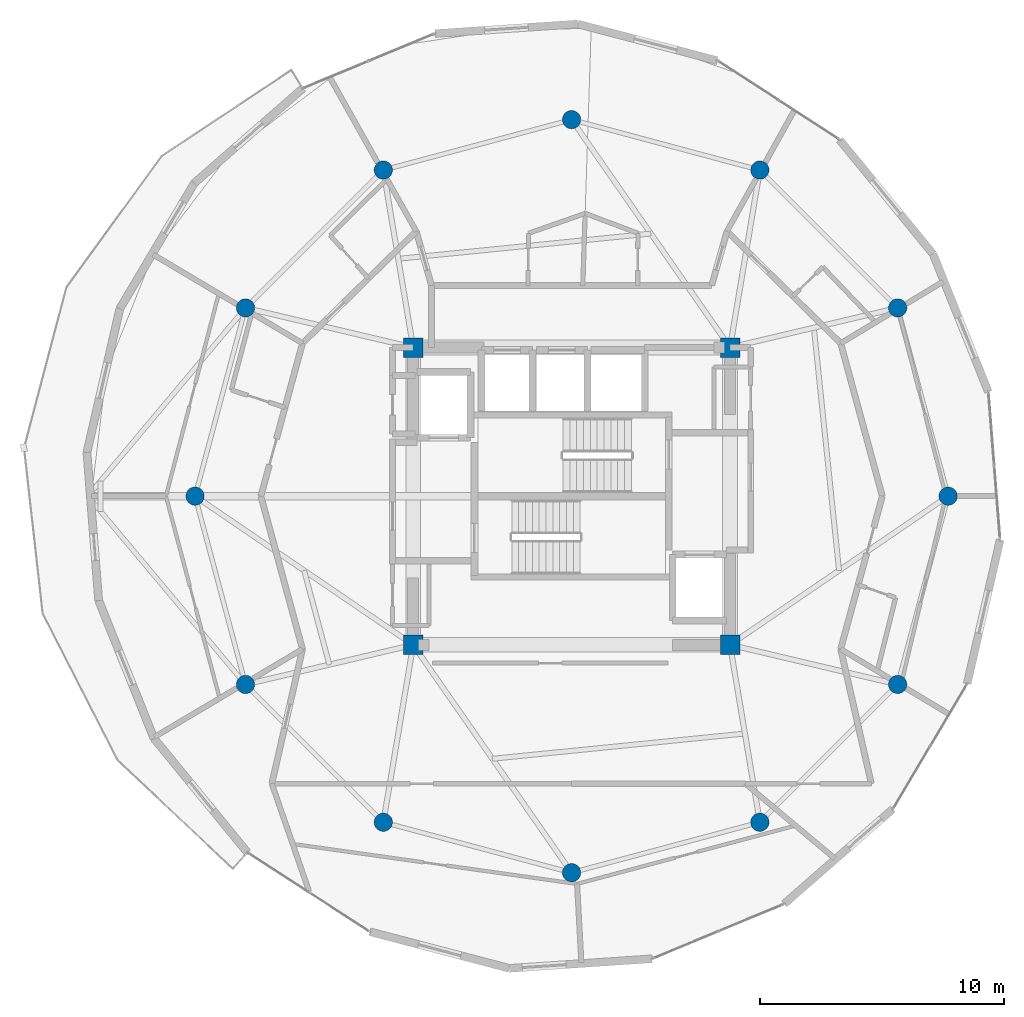
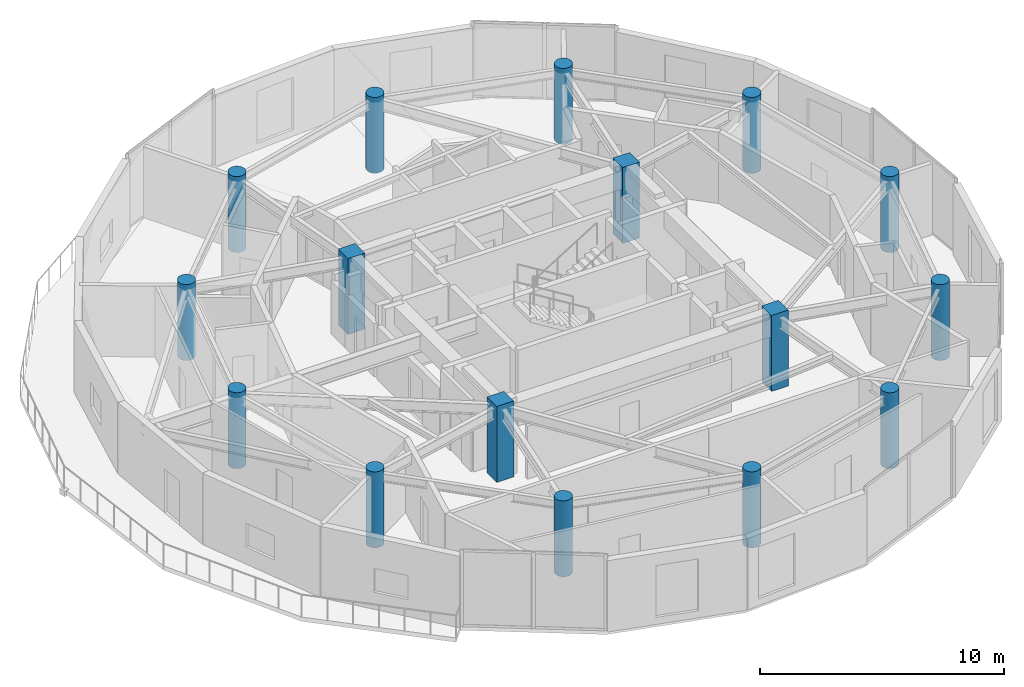
# One storey, part 1 of 17: 16 columns.
"""IFC4 building model written with IfcOpenShell, lengths in metres."""

from ifc_helpers import new_model, si_unit, direction, frame, origin, origin_2d, place, context, subcontext, project, spatial, rectangle, circle, extrude, material, material_profile, profile_set, type_object, element, save


model = new_model("IFC4")

# Units and contexts
model_context = context("Model", 3, precision=1e-05, world=origin(), true_north=direction((0.0, 1.0)))
body_context = subcontext(model_context, "Body", "Model", "MODEL_VIEW")
ifc_project = project(units=[si_unit("LENGTHUNIT", "METRE"), si_unit("AREAUNIT", "SQUARE_METRE"), si_unit("VOLUMEUNIT", "CUBIC_METRE"), si_unit("PLANEANGLEUNIT", "RADIAN"), si_unit("MASSUNIT", "GRAM", prefix="KILO")], contexts=[model_context])

# Site, building, storey
site_placement = place(None, origin())
site = spatial("IfcSite", under=ifc_project, at=site_placement, CompositionType="ELEMENT")
building_placement = place(site_placement, origin())
building = spatial("IfcBuilding", under=site, at=building_placement, Name="Solvirekh Grand Hotel", CompositionType="ELEMENT")
storey_placement = place(building_placement, frame((0.0, 0.0, 246.800048828125)))
storey = spatial("IfcBuildingStorey", under=building, at=storey_placement, Name="L64", CompositionType="ELEMENT", Elevation=246.800048828125)

# Columns
ifc_material = material(Name="Concrete C50/60", Category="concrete")
ifc_material_profile_1 = material_profile(ifc_material, rectangle(XDim=0.800048828125, YDim=0.800048828125, at=origin_2d()), Name="RC 800X800")
ifc_profile_set_1 = profile_set([ifc_material_profile_1], Name="Concrete C50/60")
column_type_1 = type_object("IfcColumnType", Name="Col_Core_800", PredefinedType="COLUMN", material=ifc_profile_set_1)
for number, where, z_axis, x_axis, name in (
    (1, (-6.5, -6.10009765625, 0.0), (0.0, 0.0, 1.0), (1.0, 0.0, 0.0), "L64 core corner column CC1"),
    (2, (6.5, -6.10009765625, 0.0), (0.0, 0.0, 1.0), (1.0, 0.0, 0.0), "L64 core corner column CC2"),
    (3, (6.5, 6.10009765625, 0.0), (0.0, 0.0, 1.0), (1.0, 0.0, 0.0), "L64 core corner column CC3"),
    (4, (-6.5, 6.10009765625, 0.0), (0.0, 0.0, 1.0), (1.0, 0.0, 0.0), "L64 core corner column CC4"),
):
    element("IfcColumn", number, at=place(storey_placement, frame(where, z_axis=z_axis, x_axis=x_axis)), inside=storey, type_object=column_type_1, Name=name, PredefinedType="COLUMN", context=body_context, shape_type="SweptSolid", body=[
        extrude(rectangle(XDim=0.800048828125, YDim=0.800048828125, at=origin_2d()), origin(), (0.0, 0.0, 1.0), 3.800048828125),
    ])
ifc_material_profile_2 = material_profile(ifc_material, circle(Radius=0.375, at=origin_2d()), Name="RC CIRC D750")
ifc_profile_set_2 = profile_set([ifc_material_profile_2], Name="Concrete C50/60")
column_type_2 = type_object("IfcColumnType", Name="Col_Z4_D750", PredefinedType="COLUMN", material=ifc_profile_set_2)
for number, where, z_axis, x_axis, name in (
    (5, (15.449951171875, 0.0, 0.0), (0.0, 0.0, 1.0), (1.0, 0.0, 0.0), "L64 perimeter column P01"),
    (6, (13.3798828125, 7.72509765625, 0.0), (0.0, 0.0, 1.0), (1.0, 0.0, 0.0), "L64 perimeter column P02"),
    (7, (7.72509765625, 13.3798828125, 0.0), (0.0, 0.0, 1.0), (1.0, 0.0, 0.0), "L64 perimeter column P03"),
    (8, (0.0, 15.449951171875, 0.0), (0.0, 0.0, 1.0), (1.0, 0.0, 0.0), "L64 perimeter column P04"),
    (9, (-7.72509765625, 13.3798828125, 0.0), (0.0, 0.0, 1.0), (1.0, 0.0, 0.0), "L64 perimeter column P05"),
    (10, (-13.3798828125, 7.72509765625, 0.0), (0.0, 0.0, 1.0), (1.0, 0.0, 0.0), "L64 perimeter column P06"),
    (11, (-15.449951171875, 0.0, 0.0), (0.0, 0.0, 1.0), (1.0, 0.0, 0.0), "L64 perimeter column P07"),
    (12, (-13.3798828125, -7.72509765625, 0.0), (0.0, 0.0, 1.0), (1.0, 0.0, 0.0), "L64 perimeter column P08"),
    (13, (-7.72509765625, -13.3798828125, 0.0), (0.0, 0.0, 1.0), (1.0, 0.0, 0.0), "L64 perimeter column P09"),
    (14, (0.0, -15.449951171875, 0.0), (0.0, 0.0, 1.0), (1.0, 0.0, 0.0), "L64 perimeter column P10"),
    (15, (7.72509765625, -13.3798828125, 0.0), (0.0, 0.0, 1.0), (1.0, 0.0, 0.0), "L64 perimeter column P11"),
    (16, (13.3798828125, -7.72509765625, 0.0), (0.0, 0.0, 1.0), (1.0, 0.0, 0.0), "L64 perimeter column P12"),
):
    element("IfcColumn", number, at=place(storey_placement, frame(where, z_axis=z_axis, x_axis=x_axis)), inside=storey, type_object=column_type_2, Name=name, PredefinedType="COLUMN", context=body_context, shape_type="SweptSolid", body=[
        extrude(circle(Radius=0.375, at=origin_2d()), origin(), (0.0, 0.0, 1.0), 3.800048828125),
    ])

save(model, "model.ifc")
